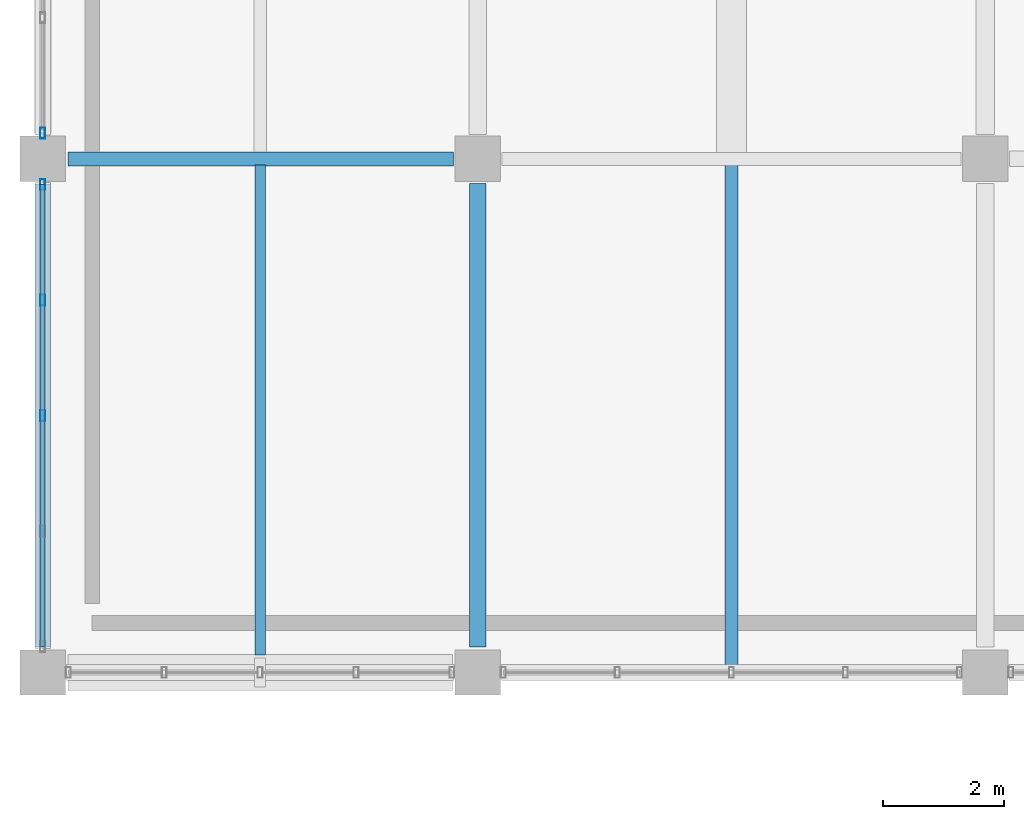
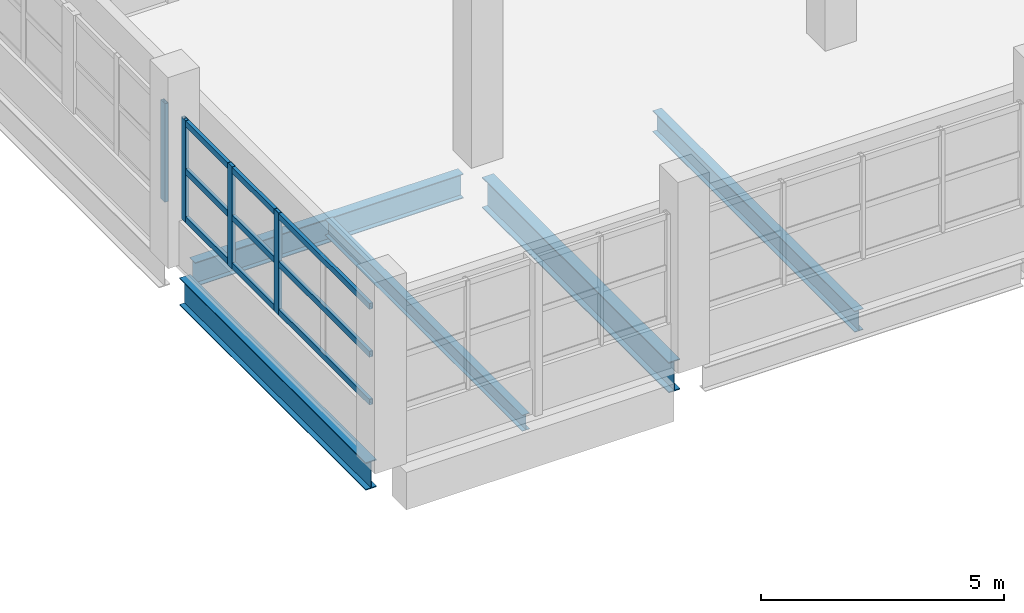
# One storey, part 31 of 117: 7 members, 5 beams, 2 elements without a shape of their own.
"""IFC4 building model written with IfcOpenShell, lengths in metres."""

from ifc_helpers import new_model, si_unit, direction, frame, origin, origin_2d, place, context, subcontext, project, spatial, hollow_rectangle, i_section, extrude, material, material_profile, profile_set, type_object, element, aggregate, save


model = new_model("IFC4")

# Units and contexts
model_context = context("Model", 3, precision=1e-05, world=origin(), true_north=direction((0.0, 1.0)))
body_context = subcontext(model_context, "Body", "Model", "MODEL_VIEW")
ifc_project = project(units=[si_unit("LENGTHUNIT", "METRE"), si_unit("AREAUNIT", "SQUARE_METRE"), si_unit("VOLUMEUNIT", "CUBIC_METRE"), si_unit("PLANEANGLEUNIT", "RADIAN"), si_unit("MASSUNIT", "GRAM", prefix="KILO")], contexts=[model_context])

# Site, building, storey
site_placement = place(None, origin())
site = spatial("IfcSite", under=ifc_project, at=site_placement, CompositionType="ELEMENT")
building_placement = place(site_placement, origin())
building = spatial("IfcBuilding", under=site, at=building_placement, Name="Solvento Point Concert Hall", CompositionType="ELEMENT")
storey_placement = place(building_placement, frame((0.0, 0.0, 5.39990234375)))
storey = spatial("IfcBuildingStorey", under=building, at=storey_placement, Name="L01", CompositionType="ELEMENT", Elevation=5.39990234375)

# Beams
ifc_material_1 = material(Name="Structural Steel ASTM A992 Grade 50", Category="steel")
ifc_material_profile_1 = material_profile(ifc_material_1, i_section(OverallWidth=0.20947265625, OverallDepth=0.532958984375, WebThickness=0.01025390625, FlangeThickness=0.015625, at=origin_2d()), Name="W21X62")
ifc_profile_set_1 = profile_set([ifc_material_profile_1], Name="Structural Steel ASTM A992 Grade 50")
beam_type_1 = type_object("IfcBeamType", Name="Beam_W21X62", PredefinedType="BEAM", material=ifc_profile_set_1)
beam_1_placement = place(storey_placement, frame((11.39990234375, 102.09912109375, -0.55029296875), z_axis=(0.0, 1.0, 0.0), x_axis=(-1.0, 0.0, 0.0)))
element("IfcBeam", 1, at=beam_1_placement, inside=storey, type_object=beam_type_1, Name="Secondary floor joist B-25 L01", PredefinedType="BEAM", context=body_context, shape_type="SweptSolid", body=[
    extrude(i_section(OverallWidth=0.20947265625, OverallDepth=0.532958984375, WebThickness=0.01025390625, FlangeThickness=0.015625, at=origin_2d()), origin(), (0.0, 0.0, 1.0), 8.308837890625),
])
ifc_material_2 = material(Name="Structural Steel ASTM A992 Grade 50", Category="steel")
ifc_material_profile_2 = material_profile(ifc_material_2, i_section(OverallWidth=0.228515625, OverallDepth=0.60791015625, WebThickness=0.01123046875, FlangeThickness=0.017333984375, at=origin_2d()), Name="W24X76")
ifc_profile_set_2 = profile_set([ifc_material_profile_2], Name="Structural Steel ASTM A992 Grade 50")
beam_type_2 = type_object("IfcBeamType", Name="Beam_W24X76", PredefinedType="BEAM", material=ifc_profile_set_2)
beam_2_placement = place(storey_placement, frame((0.4189453125, 110.5, -0.587890625), z_axis=(1.0, 0.0, 0.0), x_axis=(0.0, 1.0, 0.0)))
element("IfcBeam", 2, at=beam_2_placement, inside=storey, type_object=beam_type_2, Name="Primary girder B-42 L01", PredefinedType="BEAM", context=body_context, shape_type="SweptSolid", body=[
    extrude(i_section(OverallWidth=0.228515625, OverallDepth=0.60791015625, WebThickness=0.01123046875, FlangeThickness=0.017333984375, at=origin_2d()), origin(), (0.0, 0.0, 1.0), 6.376953125),
])
ifc_material_3 = material(Name="Structural Steel ASTM A992 Grade 50", Category="steel")
ifc_material_profile_3 = material_profile(ifc_material_3, i_section(OverallWidth=0.256103515625, OverallDepth=0.693115234375, WebThickness=0.014404296875, FlangeThickness=0.023681640625, at=origin_2d()), Name="W27X114")
ifc_profile_set_3 = profile_set([ifc_material_profile_3], Name="Structural Steel ASTM A992 Grade 50")
beam_type_3 = type_object("IfcBeamType", Name="Girder_W27X114", PredefinedType="USERDEFINED", material=ifc_profile_set_3)
beam_3_placement = place(storey_placement, frame((0.0, 102.4189453125, -0.63037109375), z_axis=(0.0, 1.0, 0.0), x_axis=(-1.0, 0.0, 0.0)))
element("IfcBeam", 3, at=beam_3_placement, inside=storey, type_object=beam_type_3, Name="Primary girder B-23 L01", ObjectType="GIRDER", PredefinedType="USERDEFINED", context=body_context, shape_type="SweptSolid", body=[
    extrude(i_section(OverallWidth=0.256103515625, OverallDepth=0.693115234375, WebThickness=0.014404296875, FlangeThickness=0.023681640625, at=origin_2d()), origin(), (0.0, 0.0, 1.0), 7.662109375),
])
ifc_material_4 = material(Name="Structural Steel ASTM A992 Grade 50", Category="steel")
ifc_material_profile_4 = material_profile(ifc_material_4, i_section(OverallWidth=0.26806640625, OverallDepth=0.77001953125, WebThickness=0.015625, FlangeThickness=0.025390625, at=origin_2d()), Name="W30X132")
ifc_profile_set_4 = profile_set([ifc_material_profile_4], Name="Structural Steel ASTM A992 Grade 50")
beam_type_4 = type_object("IfcBeamType", Name="Girder_W30X132", PredefinedType="USERDEFINED", material=ifc_profile_set_4)
beam_4_placement = place(storey_placement, frame((7.199951171875, 102.4189453125, -0.6689453125), z_axis=(0.0, 1.0, 0.0), x_axis=(-1.0, 0.0, 0.0)))
element("IfcBeam", 4, at=beam_4_placement, inside=storey, type_object=beam_type_4, Name="Primary girder B-68 L01", ObjectType="GIRDER", PredefinedType="USERDEFINED", context=body_context, shape_type="SweptSolid", body=[
    extrude(i_section(OverallWidth=0.26806640625, OverallDepth=0.77001953125, WebThickness=0.015625, FlangeThickness=0.025390625, at=origin_2d()), origin(), (0.0, 0.0, 1.0), 7.677001953125),
])
ifc_material_5 = material(Name="Structural Steel ASTM A992 Grade 50", Category="steel")
ifc_material_profile_5 = material_profile(ifc_material_5, i_section(OverallWidth=0.177490234375, OverallDepth=0.403076171875, WebThickness=0.007568359375, FlangeThickness=0.010986328125, at=origin_2d()), Name="W16X36")
ifc_profile_set_5 = profile_set([ifc_material_profile_5], Name="Structural Steel ASTM A992 Grade 50")
beam_type_5 = type_object("IfcBeamType", Name="Joist_W16X36", PredefinedType="JOIST", material=ifc_profile_set_5)
beam_5_placement = place(storey_placement, frame((3.60009765625, 102.284912109375, -0.4853515625), z_axis=(0.0, 1.0, 0.0), x_axis=(-1.0, 0.0, 0.0)))
element("IfcBeam", 5, at=beam_5_placement, inside=storey, type_object=beam_type_5, Name="Secondary floor joist B-30 L01", PredefinedType="JOIST", context=body_context, shape_type="SweptSolid", body=[
    extrude(i_section(OverallWidth=0.177490234375, OverallDepth=0.403076171875, WebThickness=0.007568359375, FlangeThickness=0.010986328125, at=origin_2d()), origin(), (0.0, 0.0, 1.0), 8.115966796875),
])

# Curtain wall, members
ifc_material_6 = material(Name="Anodized Bronze Aluminium", Category="aluminium")
curtain_wall_type = type_object("IfcCurtainWallType", Name="CurtainWall_CourtPilotis", PredefinedType="USERDEFINED", material=ifc_material_6)
curtain_wall_1_placement = place(storey_placement, origin())
curtain_wall_1 = element("IfcCurtainWall", 6, at=curtain_wall_1_placement, inside=storey, type_object=curtain_wall_type, Name="Unitised curtain wall CW-96 UCW-L01-119", ObjectType="UNITISED CURTAIN WALL", PredefinedType="USERDEFINED")
ifc_material_7 = material(Name="Anodized Bronze Aluminium", Category="aluminium")
ifc_material_profile_6 = material_profile(ifc_material_7, hollow_rectangle(XDim=0.080078125, YDim=0.179931640625, WallThickness=0.00390625, at=origin_2d()), Name="CW-MUL-80X180")
ifc_profile_set_6 = profile_set([ifc_material_profile_6], Name="Anodized Bronze Aluminium")
member_type_1 = type_object("IfcMemberType", Name="Mullion_80x180", PredefinedType="MULLION", material=ifc_profile_set_6)
member_1_placement = place(storey_placement, frame((0.0, 106.25, 1.1201171875), z_axis=(0.0, 0.0, 1.0), x_axis=(1.0, 0.0, 0.0)))
member_1 = element("IfcMember", 7, at=member_1_placement, type_object=member_type_1, Name="Curtain wall mullion ML-01", PredefinedType="MULLION", context=body_context, shape_type="SweptSolid", body=[
    extrude(hollow_rectangle(XDim=0.080078125, YDim=0.179931640625, WallThickness=0.00390625, at=origin_2d()), origin(), (0.0, 0.0, 1.0), 2.56396484375),
])
member_2_placement = place(storey_placement, frame((0.0, 108.16259765625, 1.1201171875), z_axis=(0.0, 0.0, 1.0), x_axis=(1.0, 0.0, 0.0)))
member_2 = element("IfcMember", 8, at=member_2_placement, type_object=member_type_1, Name="Curtain wall mullion ML-01", PredefinedType="MULLION", context=body_context, shape_type="SweptSolid", body=[
    extrude(hollow_rectangle(XDim=0.080078125, YDim=0.179931640625, WallThickness=0.00390625, at=origin_2d()), origin(), (0.0, 0.0, 1.0), 2.56396484375),
])
member_3_placement = place(storey_placement, frame((0.0, 110.074951171875, 1.1201171875), z_axis=(0.0, 0.0, 1.0), x_axis=(1.0, 0.0, 0.0)))
member_3 = element("IfcMember", 9, at=member_3_placement, type_object=member_type_1, Name="Curtain wall mullion ML-01", PredefinedType="MULLION", context=body_context, shape_type="SweptSolid", body=[
    extrude(hollow_rectangle(XDim=0.080078125, YDim=0.179931640625, WallThickness=0.00390625, at=origin_2d()), origin(), (0.0, 0.0, 1.0), 2.56396484375),
])

# Curtain wall, member
curtain_wall_2_placement = place(storey_placement, origin())
curtain_wall_2 = element("IfcCurtainWall", 10, at=curtain_wall_2_placement, inside=storey, type_object=curtain_wall_type, Name="Unitised curtain wall CW-96 UCW-L01-120", ObjectType="UNITISED CURTAIN WALL", PredefinedType="USERDEFINED")
member_4_placement = place(storey_placement, frame((0.0, 110.925048828125, 1.1201171875), z_axis=(0.0, 0.0, 1.0), x_axis=(1.0, 0.0, 0.0)))
member_4 = element("IfcMember", 11, at=member_4_placement, type_object=member_type_1, Name="Curtain wall mullion ML-01", PredefinedType="MULLION", context=body_context, shape_type="SweptSolid", body=[
    extrude(hollow_rectangle(XDim=0.080078125, YDim=0.179931640625, WallThickness=0.00390625, at=origin_2d()), origin(), (0.0, 0.0, 1.0), 2.47509765625),
])
aggregate(curtain_wall_2, [member_4])

# Member
ifc_material_8 = material(Name="Anodized Bronze Aluminium", Category="aluminium")
ifc_material_profile_7 = material_profile(ifc_material_8, hollow_rectangle(XDim=0.080078125, YDim=0.14990234375, WallThickness=0.00390625, at=origin_2d()), Name="CW-TRN-80X150")
ifc_profile_set_7 = profile_set([ifc_material_profile_7], Name="Anodized Bronze Aluminium")
member_type_2 = type_object("IfcMemberType", Name="Transom_80x150", PredefinedType="USERDEFINED", material=ifc_profile_set_7)
member_5_placement = place(storey_placement, frame((0.0, 102.425048828125, 1.2001953125), z_axis=(0.0, 1.0, 0.0), x_axis=(-1.0, 0.0, 0.0)))
member_5 = element("IfcMember", 12, at=member_5_placement, type_object=member_type_2, Name="Curtain wall transom TR-01", ObjectType="TRANSOM", PredefinedType="USERDEFINED", context=body_context, shape_type="SweptSolid", body=[
    extrude(hollow_rectangle(XDim=0.080078125, YDim=0.14990234375, WallThickness=0.00390625, at=origin_2d()), origin(), (0.0, 0.0, 1.0), 7.64990234375),
])

member_6_placement = place(storey_placement, frame((0.0, 102.425048828125, 2.402099609375), z_axis=(0.0, 1.0, 0.0), x_axis=(-1.0, 0.0, 0.0)))
member_6 = element("IfcMember", 13, at=member_6_placement, type_object=member_type_2, Name="Curtain wall transom TR-01", ObjectType="TRANSOM", PredefinedType="USERDEFINED", context=body_context, shape_type="SweptSolid", body=[
    extrude(hollow_rectangle(XDim=0.080078125, YDim=0.14990234375, WallThickness=0.00390625, at=origin_2d()), origin(), (0.0, 0.0, 1.0), 7.64990234375),
])

member_7_placement = place(storey_placement, frame((0.0, 102.425048828125, 3.60400390625), z_axis=(0.0, 1.0, 0.0), x_axis=(-1.0, 0.0, 0.0)))
member_7 = element("IfcMember", 14, at=member_7_placement, type_object=member_type_2, Name="Curtain wall transom TR-01", ObjectType="TRANSOM", PredefinedType="USERDEFINED", context=body_context, shape_type="SweptSolid", body=[
    extrude(hollow_rectangle(XDim=0.080078125, YDim=0.14990234375, WallThickness=0.00390625, at=origin_2d()), origin(), (0.0, 0.0, 1.0), 7.64990234375),
])

aggregate(curtain_wall_1, [member_1, member_2, member_3, member_5, member_6, member_7])

save(model, "model.ifc")
